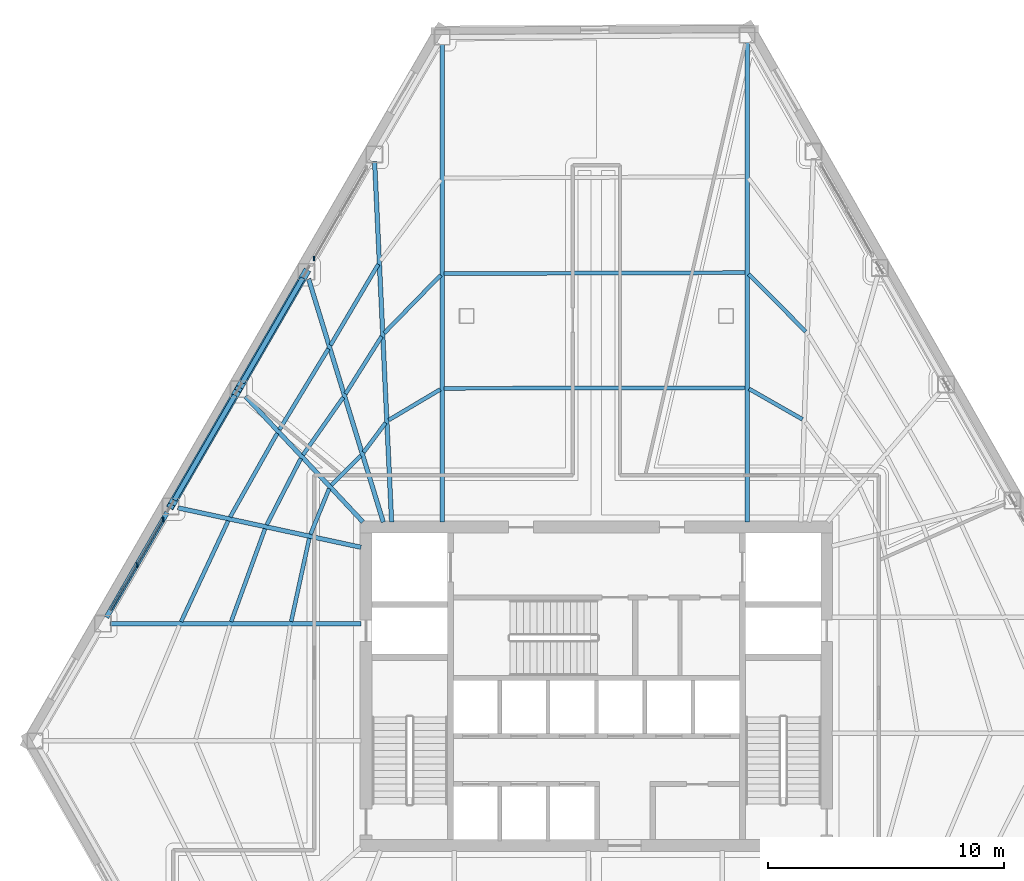
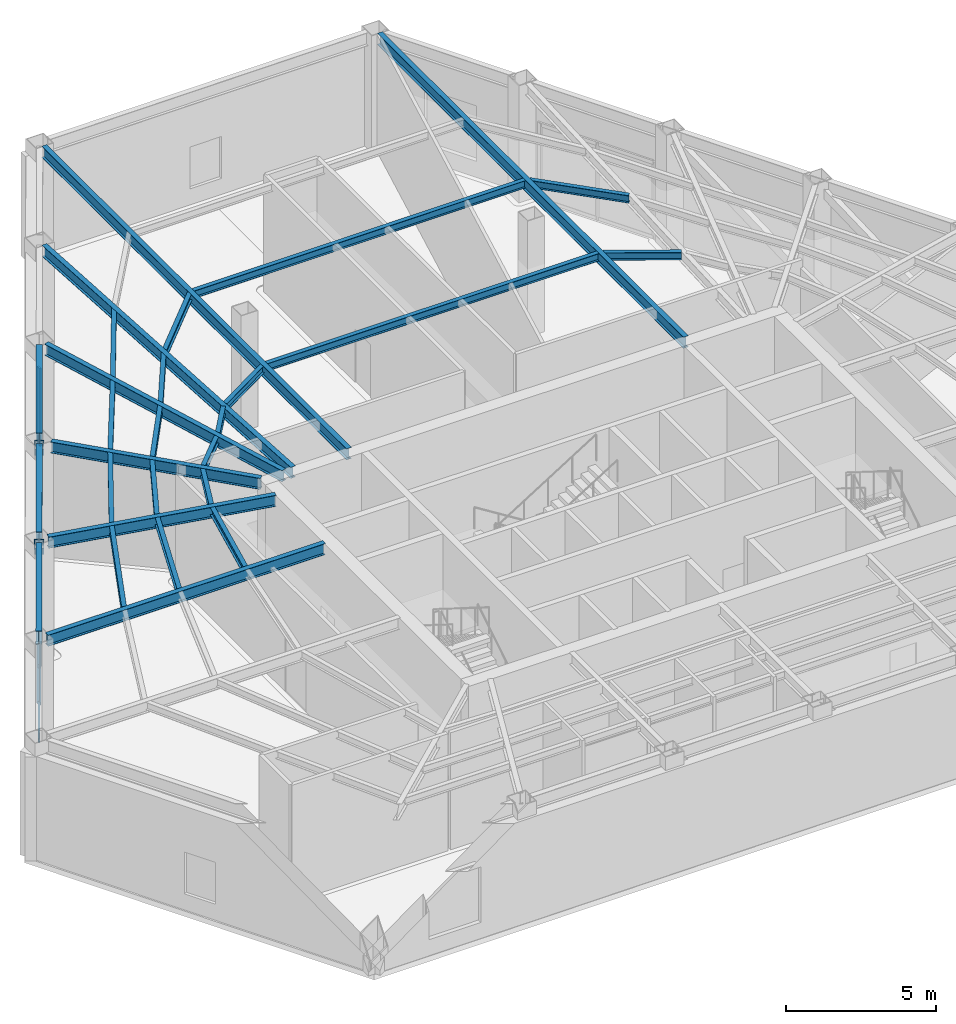
# One storey, part 3 of 14: 28 beams, 7 members, 2 elements without a shape of their own.
"""IFC4 building model written with IfcOpenShell, lengths in metres."""

from ifc_helpers import new_model, si_unit, direction, frame, origin, origin_2d, place, context, subcontext, project, spatial, rectangle, hollow_rectangle, i_section, extrude, material, layer, layer_set, material_profile, profile_set, type_object, element, aggregate, save


model = new_model("IFC4")

# Units and contexts
model_context = context("Model", 3, precision=1e-05, world=origin(), true_north=direction((0.0, 1.0)))
body_context = subcontext(model_context, "Body", "Model", "MODEL_VIEW")
ifc_project = project(units=[si_unit("LENGTHUNIT", "METRE"), si_unit("AREAUNIT", "SQUARE_METRE"), si_unit("VOLUMEUNIT", "CUBIC_METRE"), si_unit("PLANEANGLEUNIT", "RADIAN"), si_unit("MASSUNIT", "GRAM", prefix="KILO")], contexts=[model_context])

# Site, building, storey
site_placement = place(None, origin())
site = spatial("IfcSite", under=ifc_project, at=site_placement, CompositionType="ELEMENT")
building_placement = place(site_placement, origin())
building = spatial("IfcBuilding", under=site, at=building_placement, Name="Kavelnor Concourse Tower", CompositionType="ELEMENT")
storey_placement = place(building_placement, frame((0.0, 0.0, 80.5)))
storey = spatial("IfcBuildingStorey", under=building, at=storey_placement, Name="L20", CompositionType="ELEMENT", Elevation=80.5)

# Beams
ifc_material_1 = material(Name="Steel Grade 350", Category="steel")
ifc_material_profile_1 = material_profile(ifc_material_1, i_section(OverallWidth=0.166015625, OverallDepth=0.306884765625, WebThickness=0.006591796875, FlangeThickness=0.01171875, at=origin_2d()), Name="310UB46")
ifc_profile_set_1 = profile_set([ifc_material_profile_1], Name="Steel Grade 350")
beam_type_1 = type_object("IfcBeamType", Name="BM-JOIST-310", PredefinedType="JOIST", material=ifc_profile_set_1)
beam_1_placement = place(storey_placement, frame((46.737060546875, 27.419189453125, 4.596435546875), z_axis=(-0.868622726672, 0.49547407471, 0.0), x_axis=(-0.49547407471, -0.868622726672, 0.0)))
element("IfcBeam", 1, at=beam_1_placement, inside=storey, type_object=beam_type_1, Name="L20 Secondary Composite Joist 14-1", PredefinedType="JOIST", context=body_context, shape_type="SweptSolid", body=[
    extrude(i_section(OverallWidth=0.166015625, OverallDepth=0.306884765625, WebThickness=0.006591796875, FlangeThickness=0.01171875, at=origin_2d()), origin(), (0.0, 0.0, 1.0), 2.610595703125),
])
beam_2_placement = place(storey_placement, frame((46.87841796875, 31.136962890625, 4.596435546875), z_axis=(-0.704760089221, 0.709445710848, 0.0), x_axis=(-0.709445710848, -0.704760089221, 0.0)))
element("IfcBeam", 2, at=beam_2_placement, inside=storey, type_object=beam_type_1, Name="L20 Secondary Composite Joist 14-2", PredefinedType="JOIST", context=body_context, shape_type="SweptSolid", body=[
    extrude(i_section(OverallWidth=0.166015625, OverallDepth=0.306884765625, WebThickness=0.006591796875, FlangeThickness=0.01171875, at=origin_2d()), origin(), (0.0, 0.0, 1.0), 3.43896484375),
])
for number, where, z_axis, x_axis, name in (
    (3, (44.30322265625, 28.756591796875, 4.596435546875), (-0.999998381788, -0.00179900572, 0.0), (0.00179900572, -0.999998381788, 0.0), "L20 Secondary Composite Joist 15-1"),
    (4, (44.30322265625, 33.639404296875, 4.596435546875), (-0.99999445533, -0.003330061343, 0.0), (0.003330061343, -0.99999445533, 0.0), "L20 Secondary Composite Joist 15-2"),
):
    element("IfcBeam", number, at=place(storey_placement, frame(where, z_axis=z_axis, x_axis=x_axis)), inside=storey, type_object=beam_type_1, Name=name, PredefinedType="JOIST", context=body_context, shape_type="SweptSolid", body=[
        extrude(i_section(OverallWidth=0.166015625, OverallDepth=0.306884765625, WebThickness=0.006591796875, FlangeThickness=0.01171875, at=origin_2d()), origin(), (0.0, 0.0, 1.0), 12.756591796875),
    ])
beam_3_placement = place(storey_placement, frame((31.381103515625, 28.68798828125, 4.596435546875), z_axis=(-0.85975877409, -0.510700352825, 0.0), x_axis=(0.510700352825, -0.85975877409, 0.0)))
element("IfcBeam", 5, at=beam_3_placement, inside=storey, type_object=beam_type_1, Name="L20 Secondary Composite Joist 16-1", PredefinedType="JOIST", context=body_context, shape_type="SweptSolid", body=[
    extrude(i_section(OverallWidth=0.166015625, OverallDepth=0.306884765625, WebThickness=0.006591796875, FlangeThickness=0.01171875, at=origin_2d()), origin(), (0.0, 0.0, 1.0), 2.548095703125),
])
beam_4_placement = place(storey_placement, frame((31.3955078125, 33.532958984375, 4.596435546875), z_axis=(-0.697469571225, -0.716614399252, 0.0), x_axis=(0.716614399252, -0.697469571225, 0.0)))
element("IfcBeam", 6, at=beam_4_placement, inside=storey, type_object=beam_type_1, Name="L20 Secondary Composite Joist 16-2", PredefinedType="JOIST", context=body_context, shape_type="SweptSolid", body=[
    extrude(i_section(OverallWidth=0.166015625, OverallDepth=0.306884765625, WebThickness=0.006591796875, FlangeThickness=0.01171875, at=origin_2d()), origin(), (0.0, 0.0, 1.0), 3.430419921875),
])
beam_5_placement = place(storey_placement, frame((29.060791015625, 27.27001953125, 4.596435546875), z_axis=(-0.597992794659, -0.801501476939, 0.0), x_axis=(0.801501476939, -0.597992794659, 0.0)))
element("IfcBeam", 7, at=beam_5_placement, inside=storey, type_object=beam_type_1, Name="L20 Secondary Composite Joist 17-1", PredefinedType="JOIST", context=body_context, shape_type="SweptSolid", body=[
    extrude(i_section(OverallWidth=0.166015625, OverallDepth=0.306884765625, WebThickness=0.006591796875, FlangeThickness=0.01171875, at=origin_2d()), origin(), (0.0, 0.0, 1.0), 1.558349609375),
])
beam_6_placement = place(storey_placement, frame((28.8935546875, 30.935302734375, 4.596435546875), z_axis=(-0.532088093511, -0.846688998832, 0.0), x_axis=(0.846688998832, -0.532088093511, 0.0)))
element("IfcBeam", 8, at=beam_6_placement, inside=storey, type_object=beam_type_1, Name="L20 Secondary Composite Joist 17-2", PredefinedType="JOIST", context=body_context, shape_type="SweptSolid", body=[
    extrude(i_section(OverallWidth=0.166015625, OverallDepth=0.306884765625, WebThickness=0.006591796875, FlangeThickness=0.01171875, at=origin_2d()), origin(), (0.0, 0.0, 1.0), 2.8759765625),
])
beam_7_placement = place(storey_placement, frame((28.75146484375, 33.9921875, 4.596435546875), z_axis=(-0.508367671492, -0.861140122502, 0.0), x_axis=(0.861140122502, -0.508367671492, 0.0)))
element("IfcBeam", 9, at=beam_7_placement, inside=storey, type_object=beam_type_1, Name="L20 Secondary Composite Joist 17-3", PredefinedType="JOIST", context=body_context, shape_type="SweptSolid", body=[
    extrude(i_section(OverallWidth=0.166015625, OverallDepth=0.306884765625, WebThickness=0.006591796875, FlangeThickness=0.01171875, at=origin_2d()), origin(), (0.0, 0.0, 1.0), 3.980712890625),
])
beam_8_placement = place(storey_placement, frame((28.012939453125, 25.88623046875, 4.596435546875), z_axis=(-0.703035713329, -0.711154544233, 0.0), x_axis=(0.711154544233, -0.703035713329, 0.0)))
element("IfcBeam", 10, at=beam_8_placement, inside=storey, type_object=beam_type_1, Name="L20 Secondary Composite Joist 18-1", PredefinedType="JOIST", context=body_context, shape_type="SweptSolid", body=[
    extrude(i_section(OverallWidth=0.166015625, OverallDepth=0.306884765625, WebThickness=0.006591796875, FlangeThickness=0.01171875, at=origin_2d()), origin(), (0.0, 0.0, 1.0), 1.774169921875),
])
beam_9_placement = place(storey_placement, frame((27.264892578125, 28.351806640625, 4.596435546875), z_axis=(-0.572994483213, -0.819559224344, 0.0), x_axis=(0.819559224344, -0.572994483213, 0.0)))
element("IfcBeam", 11, at=beam_9_placement, inside=storey, type_object=beam_type_1, Name="L20 Secondary Composite Joist 18-2", PredefinedType="JOIST", context=body_context, shape_type="SweptSolid", body=[
    extrude(i_section(OverallWidth=0.166015625, OverallDepth=0.306884765625, WebThickness=0.006591796875, FlangeThickness=0.01171875, at=origin_2d()), origin(), (0.0, 0.0, 1.0), 2.9775390625),
])
beam_10_placement = place(storey_placement, frame((26.63671875, 30.41162109375, 4.596435546875), z_axis=(-0.518007732181, -0.855375934546, 0.0), x_axis=(0.855375934546, -0.518007732181, 0.0)))
element("IfcBeam", 12, at=beam_10_placement, inside=storey, type_object=beam_type_1, Name="L20 Secondary Composite Joist 18-3", PredefinedType="JOIST", context=body_context, shape_type="SweptSolid", body=[
    extrude(i_section(OverallWidth=0.166015625, OverallDepth=0.306884765625, WebThickness=0.006591796875, FlangeThickness=0.01171875, at=origin_2d()), origin(), (0.0, 0.0, 1.0), 4.0126953125),
])
beam_11_placement = place(storey_placement, frame((26.66943359375, 24.478759765625, 4.596435546875), z_axis=(-0.378769275817, -0.925491132155, 0.0), x_axis=(0.925491132155, -0.378769275817, 0.0)))
element("IfcBeam", 13, at=beam_11_placement, inside=storey, type_object=beam_type_1, Name="L20 Secondary Composite Joist 19-1", PredefinedType="JOIST", context=body_context, shape_type="SweptSolid", body=[
    extrude(i_section(OverallWidth=0.166015625, OverallDepth=0.306884765625, WebThickness=0.006591796875, FlangeThickness=0.01171875, at=origin_2d()), origin(), (0.0, 0.0, 1.0), 2.09033203125),
])
beam_12_placement = place(storey_placement, frame((25.46728515625, 25.759521484375, 4.596435546875), z_axis=(-0.456992633082, -0.889470479167, 0.0), x_axis=(0.889470479167, -0.456992633082, 0.0)))
element("IfcBeam", 14, at=beam_12_placement, inside=storey, type_object=beam_type_1, Name="L20 Secondary Composite Joist 19-2", PredefinedType="JOIST", context=body_context, shape_type="SweptSolid", body=[
    extrude(i_section(OverallWidth=0.166015625, OverallDepth=0.306884765625, WebThickness=0.006591796875, FlangeThickness=0.01171875, at=origin_2d()), origin(), (0.0, 0.0, 1.0), 3.1669921875),
])
beam_13_placement = place(storey_placement, frame((24.46826171875, 26.82568359375, 4.596435546875), z_axis=(-0.490611151581, -0.871378619169, 0.0), x_axis=(0.871378619169, -0.490611151581, 0.0)))
element("IfcBeam", 15, at=beam_13_placement, inside=storey, type_object=beam_type_1, Name="L20 Secondary Composite Joist 19-3", PredefinedType="JOIST", context=body_context, shape_type="SweptSolid", body=[
    extrude(i_section(OverallWidth=0.166015625, OverallDepth=0.306884765625, WebThickness=0.006591796875, FlangeThickness=0.01171875, at=origin_2d()), origin(), (0.0, 0.0, 1.0), 4.073974609375),
])
beam_14_placement = place(storey_placement, frame((25.824951171875, 22.374755859375, 4.596435546875), z_axis=(-0.212468935529, -0.977167821531, 0.0), x_axis=(0.977167821531, -0.212468935529, 0.0)))
element("IfcBeam", 16, at=beam_14_placement, inside=storey, type_object=beam_type_1, Name="L20 Secondary Composite Joist 20-1", PredefinedType="JOIST", context=body_context, shape_type="SweptSolid", body=[
    extrude(i_section(OverallWidth=0.166015625, OverallDepth=0.306884765625, WebThickness=0.006591796875, FlangeThickness=0.01171875, at=origin_2d()), origin(), (0.0, 0.0, 1.0), 3.611572265625),
])
beam_15_placement = place(storey_placement, frame((23.948974609375, 22.77978515625, 4.596435546875), z_axis=(-0.342425880504, -0.939544845317, 0.0), x_axis=(0.939544845317, -0.342425880504, 0.0)))
element("IfcBeam", 17, at=beam_15_placement, inside=storey, type_object=beam_type_1, Name="L20 Secondary Composite Joist 20-2", PredefinedType="JOIST", context=body_context, shape_type="SweptSolid", body=[
    extrude(i_section(OverallWidth=0.166015625, OverallDepth=0.306884765625, WebThickness=0.006591796875, FlangeThickness=0.01171875, at=origin_2d()), origin(), (0.0, 0.0, 1.0), 4.19091796875),
])
beam_16_placement = place(storey_placement, frame((22.38818359375, 23.117431640625, 4.596435546875), z_axis=(-0.422910944319, -0.906171249365, 0.0), x_axis=(0.906171249365, -0.422910944319, 0.0)))
element("IfcBeam", 18, at=beam_16_placement, inside=storey, type_object=beam_type_1, Name="L20 Secondary Composite Joist 20-3", PredefinedType="JOIST", context=body_context, shape_type="SweptSolid", body=[
    extrude(i_section(OverallWidth=0.166015625, OverallDepth=0.306884765625, WebThickness=0.006591796875, FlangeThickness=0.01171875, at=origin_2d()), origin(), (0.0, 0.0, 1.0), 4.720947265625),
])
ifc_material_profile_2 = material_profile(ifc_material_1, i_section(OverallWidth=0.18994140625, OverallDepth=0.4541015625, WebThickness=0.008544921875, FlangeThickness=0.0126953125, at=origin_2d()), Name="460UB67")
ifc_profile_set_2 = profile_set([ifc_material_profile_2], Name="Steel Grade 350")
beam_type_2 = type_object("IfcBeamType", Name="BM-PRIMARY-460", PredefinedType="BEAM", material=ifc_profile_set_2)
beam_17_placement = place(storey_placement, frame((31.457763671875, 23.06005859375, 4.52294921875), z_axis=(0.0, 1.0, 0.0), x_axis=(-1.0, 0.0, 0.0)))
element("IfcBeam", 19, at=beam_17_placement, inside=storey, type_object=beam_type_2, Name="L20 Primary Floor Girder F0-B0", PredefinedType="BEAM", context=body_context, shape_type="SweptSolid", body=[
    extrude(i_section(OverallWidth=0.18994140625, OverallDepth=0.4541015625, WebThickness=0.008544921875, FlangeThickness=0.0126953125, at=origin_2d()), origin(), (0.0, 0.0, 1.0), 20.2626953125),
])
beam_18_placement = place(storey_placement, frame((29.31591796875, 23.06005859375, 4.52294921875), z_axis=(-0.047115020386, 0.998889470789, 0.0), x_axis=(-0.998889470789, -0.047115020386, 0.0)))
element("IfcBeam", 20, at=beam_18_placement, inside=storey, type_object=beam_type_2, Name="L20 Primary Floor Girder F0-B1", PredefinedType="BEAM", context=body_context, shape_type="SweptSolid", body=[
    extrude(i_section(OverallWidth=0.18994140625, OverallDepth=0.4541015625, WebThickness=0.008544921875, FlangeThickness=0.0126953125, at=origin_2d()), origin(), (0.0, 0.0, 1.0), 15.30712890625),
])
beam_19_placement = place(storey_placement, frame((28.9619140625, 23.061767578125, 4.52294921875), z_axis=(-0.293414718515, 0.95598525248, 0.0), x_axis=(-0.95598525248, -0.293414718515, 0.0)))
element("IfcBeam", 21, at=beam_19_placement, inside=storey, type_object=beam_type_2, Name="L20 Primary Floor Girder F0-B2", PredefinedType="BEAM", context=body_context, shape_type="SweptSolid", body=[
    extrude(i_section(OverallWidth=0.18994140625, OverallDepth=0.4541015625, WebThickness=0.008544921875, FlangeThickness=0.0126953125, at=origin_2d()), origin(), (0.0, 0.0, 1.0), 10.78857421875),
])
beam_20_placement = place(storey_placement, frame((28.097412109375, 23.07080078125, 4.52294921875), z_axis=(-0.683203222987, 0.730228290399, 0.0), x_axis=(-0.730228290399, -0.683203222987, 0.0)))
element("IfcBeam", 22, at=beam_20_placement, inside=storey, type_object=beam_type_2, Name="L20 Primary Floor Girder F0-B3", PredefinedType="BEAM", context=body_context, shape_type="SweptSolid", body=[
    extrude(i_section(OverallWidth=0.18994140625, OverallDepth=0.4541015625, WebThickness=0.008544921875, FlangeThickness=0.0126953125, at=origin_2d()), origin(), (0.0, 0.0, 1.0), 7.2890625),
])
beam_21_placement = place(storey_placement, frame((28.01904296875, 21.9931640625, 4.52294921875), z_axis=(-0.977572537934, 0.210598986409, 0.0), x_axis=(-0.210598986409, -0.977572537934, 0.0)))
element("IfcBeam", 23, at=beam_21_placement, inside=storey, type_object=beam_type_2, Name="L20 Primary Floor Girder F0-B4", PredefinedType="BEAM", context=body_context, shape_type="SweptSolid", body=[
    extrude(i_section(OverallWidth=0.18994140625, OverallDepth=0.4541015625, WebThickness=0.008544921875, FlangeThickness=0.0126953125, at=origin_2d()), origin(), (0.0, 0.0, 1.0), 7.94677734375),
])
beam_22_placement = place(storey_placement, frame((28.02001953125, 18.7587890625, 4.52294921875), z_axis=(-1.0, 0.0, 0.0), x_axis=(0.0, -1.0, 0.0)))
element("IfcBeam", 24, at=beam_22_placement, inside=storey, type_object=beam_type_2, Name="L20 Primary Floor Girder F0-B5", PredefinedType="BEAM", context=body_context, shape_type="SweptSolid", body=[
    extrude(i_section(OverallWidth=0.18994140625, OverallDepth=0.4541015625, WebThickness=0.008544921875, FlangeThickness=0.0126953125, at=origin_2d()), origin(), (0.0, 0.0, 1.0), 10.6474609375),
])
beam_23_placement = place(storey_placement, frame((44.39208984375, 23.06005859375, 4.52294921875), z_axis=(0.0, 1.0, 0.0), x_axis=(-1.0, 0.0, 0.0)))
element("IfcBeam", 25, at=beam_23_placement, inside=storey, type_object=beam_type_2, Name="L20 Primary Floor Girder F2-B6", PredefinedType="BEAM", context=body_context, shape_type="SweptSolid", body=[
    extrude(i_section(OverallWidth=0.18994140625, OverallDepth=0.4541015625, WebThickness=0.008544921875, FlangeThickness=0.0126953125, at=origin_2d()), origin(), (0.0, 0.0, 1.0), 20.345703125),
])
ifc_material_profile_3 = material_profile(ifc_material_1, i_section(OverallWidth=0.208984375, OverallDepth=0.532958984375, WebThickness=0.01025390625, FlangeThickness=0.015625, at=origin_2d()), Name="530UB92")
ifc_profile_set_3 = profile_set([ifc_material_profile_3], Name="Steel Grade 350")
beam_type_3 = type_object("IfcBeamType", Name="BM-SPANDREL-Z2", PredefinedType="SPANDREL", material=ifc_profile_set_3)
beam_24_placement = place(storey_placement, frame((25.551025390625, 33.4130859375, 4.4833984375), z_axis=(-0.500796353856, -0.86556514022, 0.0), x_axis=(0.86556514022, -0.500796353856, 0.0)))
element("IfcBeam", 26, at=beam_24_placement, inside=storey, type_object=beam_type_3, Name="L20 Perimeter Tube Spandrel Beam F0-B2", PredefinedType="SPANDREL", context=body_context, shape_type="SweptSolid", body=[
    extrude(i_section(OverallWidth=0.208984375, OverallDepth=0.532958984375, WebThickness=0.01025390625, FlangeThickness=0.015625, at=origin_2d()), origin(), (0.0, 0.0, 1.0), 5.135009765625),
])
beam_25_placement = place(storey_placement, frame((22.674072265625, 28.4404296875, 4.4833984375), z_axis=(-0.500811364388, -0.865556455293, 0.0), x_axis=(0.865556455293, -0.500811364388, 0.0)))
element("IfcBeam", 27, at=beam_25_placement, inside=storey, type_object=beam_type_3, Name="L20 Perimeter Tube Spandrel Beam F0-B3", PredefinedType="SPANDREL", context=body_context, shape_type="SweptSolid", body=[
    extrude(i_section(OverallWidth=0.208984375, OverallDepth=0.532958984375, WebThickness=0.01025390625, FlangeThickness=0.015625, at=origin_2d()), origin(), (0.0, 0.0, 1.0), 5.13525390625),
])
beam_26_placement = place(storey_placement, frame((19.796875, 23.467529296875, 4.4833984375), z_axis=(-0.500775744942, -0.865577063743, 0.0), x_axis=(0.865577063743, -0.500775744942, 0.0)))
element("IfcBeam", 28, at=beam_26_placement, inside=storey, type_object=beam_type_3, Name="L20 Perimeter Tube Spandrel Beam F0-B4", PredefinedType="SPANDREL", context=body_context, shape_type="SweptSolid", body=[
    extrude(i_section(OverallWidth=0.208984375, OverallDepth=0.532958984375, WebThickness=0.01025390625, FlangeThickness=0.015625, at=origin_2d()), origin(), (0.0, 0.0, 1.0), 5.135009765625),
])

# Curtain wall, member
ifc_material_2 = material(Name="Anodised aluminium 6063-T6", Category="aluminium")
ifc_layer = layer(ifc_material_2, 0.18505859375, Name="Anodised aluminium 6063-T6")
ifc_layer_set = layer_set([ifc_layer], Name="Anodised aluminium 6063-T6")
curtain_wall_type = type_object("IfcCurtainWallType", Name="CW-SKYLOBBY-L20", PredefinedType="NOTDEFINED", material=ifc_layer_set)
curtain_wall_1_placement = place(storey_placement, origin())
curtain_wall_1 = element("IfcCurtainWall", 29, at=curtain_wall_1_placement, inside=storey, type_object=curtain_wall_type, Name="L20 Feature Curtain Wall F0-B1", PredefinedType="NOTDEFINED")
ifc_material_profile_4 = material_profile(ifc_material_2, rectangle(XDim=0.06494140625, YDim=0.18505859375, at=origin_2d()), Name="AL-MULL 65x185")
ifc_profile_set_4 = profile_set([ifc_material_profile_4], Name="Anodised aluminium 6063-T6")
member_type_1 = type_object("IfcMemberType", Name="CW-SKYLOBBY-L20-MULL", PredefinedType="MULLION", material=ifc_profile_set_4)
member_1_placement = place(storey_placement, frame((26.029296875, 34.23974609375, 0.0), z_axis=(0.0, 0.0, 1.0), x_axis=(1.0, 0.0, 0.0)))
member_1 = element("IfcMember", 30, at=member_1_placement, type_object=member_type_1, Name="L20 Feature Curtain Wall F0-B1 Mullion 2", PredefinedType="MULLION", context=body_context, shape_type="SweptSolid", body=[
    extrude(rectangle(XDim=0.06494140625, YDim=0.18505859375, at=origin_2d()), origin(), (0.0, 0.0, 1.0), 3.14990234375),
])
aggregate(curtain_wall_1, [member_1])

# Curtain wall, members
curtain_wall_2_placement = place(storey_placement, origin())
curtain_wall_2 = element("IfcCurtainWall", 31, at=curtain_wall_2_placement, inside=storey, type_object=curtain_wall_type, Name="L20 Feature Curtain Wall F0-B4", PredefinedType="NOTDEFINED")
member_2_placement = place(storey_placement, frame((19.6240234375, 23.1689453125, 0.0), z_axis=(0.0, 0.0, 1.0), x_axis=(1.0, 0.0, 0.0)))
member_2 = element("IfcMember", 32, at=member_2_placement, type_object=member_type_1, Name="L20 Feature Curtain Wall F0-B4 Mullion 0", PredefinedType="MULLION", context=body_context, shape_type="SweptSolid", body=[
    extrude(rectangle(XDim=0.06494140625, YDim=0.18505859375, at=origin_2d()), origin(), (0.0, 0.0, 1.0), 3.14990234375),
])
member_3_placement = place(storey_placement, frame((18.510986328125, 21.2451171875, 0.0), z_axis=(0.0, 0.0, 1.0), x_axis=(1.0, 0.0, 0.0)))
member_3 = element("IfcMember", 33, at=member_3_placement, type_object=member_type_1, Name="L20 Feature Curtain Wall F0-B4 Mullion 1", PredefinedType="MULLION", context=body_context, shape_type="SweptSolid", body=[
    extrude(rectangle(XDim=0.06494140625, YDim=0.18505859375, at=origin_2d()), origin(), (0.0, 0.0, 1.0), 3.14990234375),
])
ifc_material_profile_5 = material_profile(ifc_material_2, rectangle(XDim=0.06494140625, YDim=0.14990234375, at=origin_2d()), Name="AL-TRAN 65x150")
ifc_profile_set_5 = profile_set([ifc_material_profile_5], Name="Anodised aluminium 6063-T6")
member_type_2 = type_object("IfcMemberType", Name="CW-SKYLOBBY-L20-TRAN", PredefinedType="USERDEFINED", material=ifc_profile_set_5)
member_4_placement = place(storey_placement, frame((19.6240234375, 23.1689453125, 0.06005859375), z_axis=(-0.500739630192, -0.865597956765, 0.0), x_axis=(0.865597956765, -0.500739630192, 0.0)))
member_4 = element("IfcMember", 34, at=member_4_placement, type_object=member_type_2, Name="L20 Feature Curtain Wall F0-B4 Transom 0-BOT", ObjectType="TRANSOM", PredefinedType="USERDEFINED", context=body_context, shape_type="SweptSolid", body=[
    extrude(rectangle(XDim=0.06494140625, YDim=0.14990234375, at=origin_2d()), origin(), (0.0, 0.0, 1.0), 4.445068359375),
])
member_5_placement = place(storey_placement, frame((19.6240234375, 23.1689453125, 3.090087890625), z_axis=(-0.500739630192, -0.865597956765, 0.0), x_axis=(0.865597956765, -0.500739630192, 0.0)))
member_5 = element("IfcMember", 35, at=member_5_placement, type_object=member_type_2, Name="L20 Feature Curtain Wall F0-B4 Transom 0-TOP", ObjectType="TRANSOM", PredefinedType="USERDEFINED", context=body_context, shape_type="SweptSolid", body=[
    extrude(rectangle(XDim=0.06494140625, YDim=0.14990234375, at=origin_2d()), origin(), (0.0, 0.0, 1.0), 4.445068359375),
])
aggregate(curtain_wall_2, [member_2, member_3, member_4, member_5])

# Members
ifc_material_profile_6 = material_profile(ifc_material_1, hollow_rectangle(XDim=0.320068359375, YDim=0.320068359375, WallThickness=0.01806640625, at=origin_2d()), Name="SHS 320x320x18")
ifc_profile_set_6 = profile_set([ifc_material_profile_6], Name="Steel Grade 350")
member_type_3 = type_object("IfcMemberType", Name="MBR-TUBE-DIAG-Z2", PredefinedType="BRACE", material=ifc_profile_set_6)
member_6_placement = place(storey_placement, frame((25.70361328125, 33.67724609375, 0.219970703125), z_axis=(-0.402131563291, -0.695096555726, 0.595928673604), x_axis=(0.865584320951, -0.500763200849, 0.0)))
element("IfcMember", 36, at=member_6_placement, inside=storey, type_object=member_type_3, Name="L20 Framed-Tube Bracing Diagonal F0-B2", PredefinedType="BRACE", context=body_context, shape_type="SweptSolid", body=[
    extrude(hollow_rectangle(XDim=0.320068359375, YDim=0.320068359375, WallThickness=0.01806640625, at=origin_2d()), origin(), (0.0, 0.0, 1.0), 7.154296875),
])
member_7_placement = place(storey_placement, frame((22.82666015625, 28.704345703125, 0.219970703125), z_axis=(-0.402141102086, -0.695078917794, 0.595942809379), x_axis=(0.865573664111, -0.500781621066, 0.0)))
element("IfcMember", 37, at=member_7_placement, inside=storey, type_object=member_type_3, Name="L20 Framed-Tube Bracing Diagonal F0-B3", PredefinedType="BRACE", context=body_context, shape_type="SweptSolid", body=[
    extrude(hollow_rectangle(XDim=0.320068359375, YDim=0.320068359375, WallThickness=0.01806640625, at=origin_2d()), origin(), (0.0, 0.0, 1.0), 7.154052734375),
])

save(model, "model.ifc")
